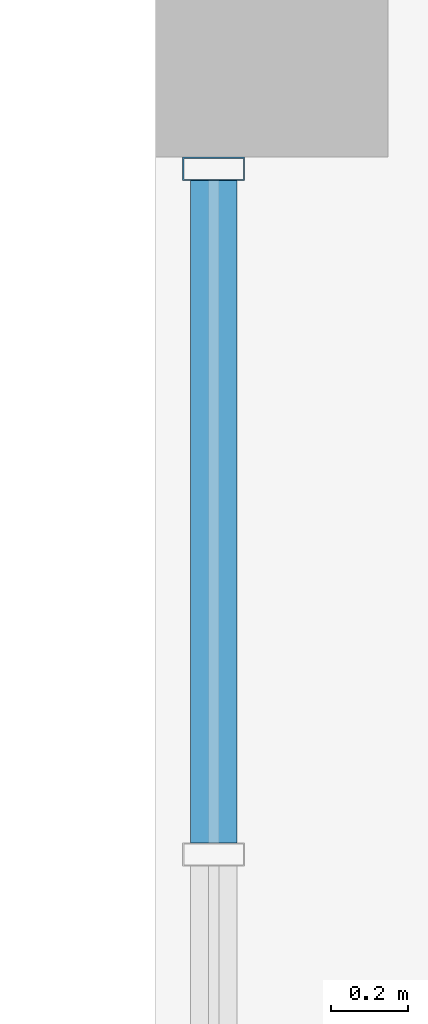
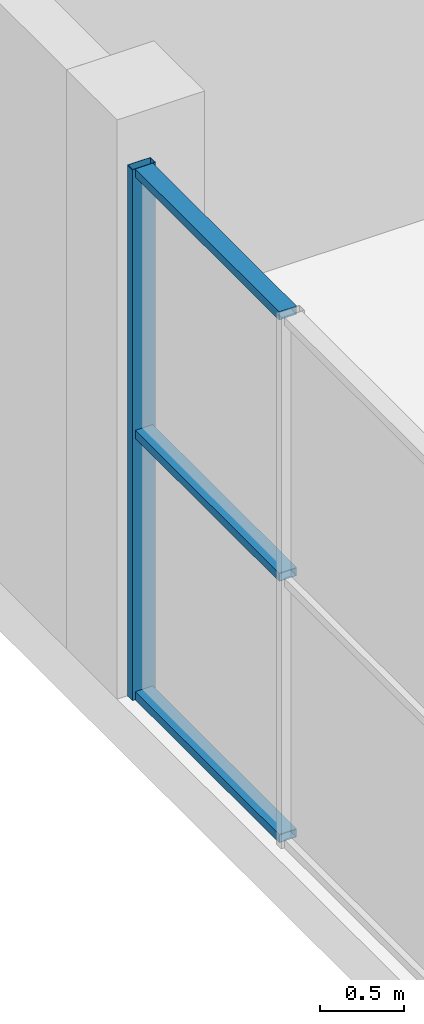
# One storey, part 9 of 45: 4 members, 1 element without a shape of its own.
"""IFC4 building model written with IfcOpenShell, lengths in metres."""

from ifc_helpers import new_model, si_unit, direction, frame, origin, origin_2d, place, context, subcontext, project, spatial, hollow_rectangle, extrude, material, layer, layer_set, material_profile, profile_set, type_object, element, aggregate, save


model = new_model("IFC4")

# Units and contexts
model_context = context("Model", 3, precision=1e-05, world=origin(), true_north=direction((0.0, 1.0)))
body_context = subcontext(model_context, "Body", "Model", "MODEL_VIEW")
ifc_project = project(units=[si_unit("LENGTHUNIT", "METRE"), si_unit("AREAUNIT", "SQUARE_METRE"), si_unit("VOLUMEUNIT", "CUBIC_METRE"), si_unit("PLANEANGLEUNIT", "RADIAN"), si_unit("MASSUNIT", "GRAM", prefix="KILO")], contexts=[model_context])

# Site, building, storey
site_placement = place(None, origin())
site = spatial("IfcSite", under=ifc_project, at=site_placement, CompositionType="ELEMENT")
building_placement = place(site_placement, origin())
building = spatial("IfcBuilding", under=site, at=building_placement, Name="Nakaniwa Court", CompositionType="ELEMENT")
storey_placement = place(building_placement, frame((0.0, 0.0, 11.39990234375)))
storey = spatial("IfcBuildingStorey", under=building, at=storey_placement, Name="L02", CompositionType="ELEMENT", Elevation=11.39990234375)

# Curtain wall, members
ifc_material_1 = material(Name="Dark low-E laminated glass in black aluminium frame", Category="aluminium")
ifc_layer = layer(ifc_material_1, 0.159912109375)
ifc_layer_set = layer_set([ifc_layer], Name="Dark low-E laminated glass in black aluminium frame")
curtain_wall_type = type_object("IfcCurtainWallType", Name="Hall foyer curtain wall CW6", PredefinedType="NOTDEFINED", material=ifc_layer_set)
curtain_wall_placement = place(storey_placement, origin())
curtain_wall = element("IfcCurtainWall", 1, at=curtain_wall_placement, inside=storey, type_object=curtain_wall_type, Name="Foyer curtain wall L02:006", PredefinedType="NOTDEFINED")
ifc_material_2 = material(Name="Extruded aluminium 6063-T6 black anodised", Category="aluminium")
ifc_material_profile_1 = material_profile(ifc_material_2, hollow_rectangle(XDim=0.159912109375, YDim=0.06005859375, WallThickness=0.0029296875, at=origin_2d()), Name="CW mullion 160x60")
ifc_profile_set_1 = profile_set([ifc_material_profile_1], Name="Extruded aluminium 6063-T6 black anodised")
member_type_1 = type_object("IfcMemberType", Name="Curtain wall mullion 160x60", PredefinedType="MULLION", material=ifc_profile_set_1)
member_1_placement = place(storey_placement, frame((152.14990234375, 91.669921875, 0.0), z_axis=(0.0, 0.0, 1.0), x_axis=(-1.0, 0.0, 0.0)))
member_1 = element("IfcMember", 2, at=member_1_placement, type_object=member_type_1, Name="HCW-08 mullion 4", PredefinedType="MULLION", context=body_context, shape_type="SweptSolid", body=[
    extrude(hollow_rectangle(XDim=0.159912109375, YDim=0.06005859375, WallThickness=0.0029296875, at=origin_2d()), origin(), (0.0, 0.0, 1.0), 3.85009765625),
])
ifc_material_profile_2 = material_profile(ifc_material_2, hollow_rectangle(XDim=0.1201171875, YDim=0.06005859375, WallThickness=0.0029296875, at=origin_2d()), Name="CW transom 120x60")
ifc_profile_set_2 = profile_set([ifc_material_profile_2], Name="Extruded aluminium 6063-T6 black anodised")
member_type_2 = type_object("IfcMemberType", Name="Curtain wall transom 120x60", PredefinedType="USERDEFINED", material=ifc_profile_set_2)
member_2_placement = place(storey_placement, frame((152.14990234375, 89.929931640625, 0.030029296875), z_axis=(0.0, 1.0, 0.0), x_axis=(-1.0, 0.0, 0.0)))
member_2 = element("IfcMember", 3, at=member_2_placement, type_object=member_type_2, Name="HCW-08 transom 3.1", ObjectType="TRANSOM", PredefinedType="USERDEFINED", context=body_context, shape_type="SweptSolid", body=[
    extrude(hollow_rectangle(XDim=0.1201171875, YDim=0.06005859375, WallThickness=0.0029296875, at=origin_2d()), origin(), (0.0, 0.0, 1.0), 1.7099609375),
])
member_3_placement = place(storey_placement, frame((152.14990234375, 89.929931640625, 1.925048828125), z_axis=(0.0, 1.0, 0.0), x_axis=(-1.0, 0.0, 0.0)))
member_3 = element("IfcMember", 4, at=member_3_placement, type_object=member_type_2, Name="HCW-08 transom 3.2", ObjectType="TRANSOM", PredefinedType="USERDEFINED", context=body_context, shape_type="SweptSolid", body=[
    extrude(hollow_rectangle(XDim=0.1201171875, YDim=0.06005859375, WallThickness=0.0029296875, at=origin_2d()), origin(), (0.0, 0.0, 1.0), 1.7099609375),
])
member_4_placement = place(storey_placement, frame((152.14990234375, 89.929931640625, 3.820068359375), z_axis=(0.0, 1.0, 0.0), x_axis=(-1.0, 0.0, 0.0)))
member_4 = element("IfcMember", 5, at=member_4_placement, type_object=member_type_2, Name="HCW-08 transom 3.3", ObjectType="TRANSOM", PredefinedType="USERDEFINED", context=body_context, shape_type="SweptSolid", body=[
    extrude(hollow_rectangle(XDim=0.1201171875, YDim=0.06005859375, WallThickness=0.0029296875, at=origin_2d()), origin(), (0.0, 0.0, 1.0), 1.7099609375),
])
aggregate(curtain_wall, [member_1, member_2, member_3, member_4])

save(model, "model.ifc")
